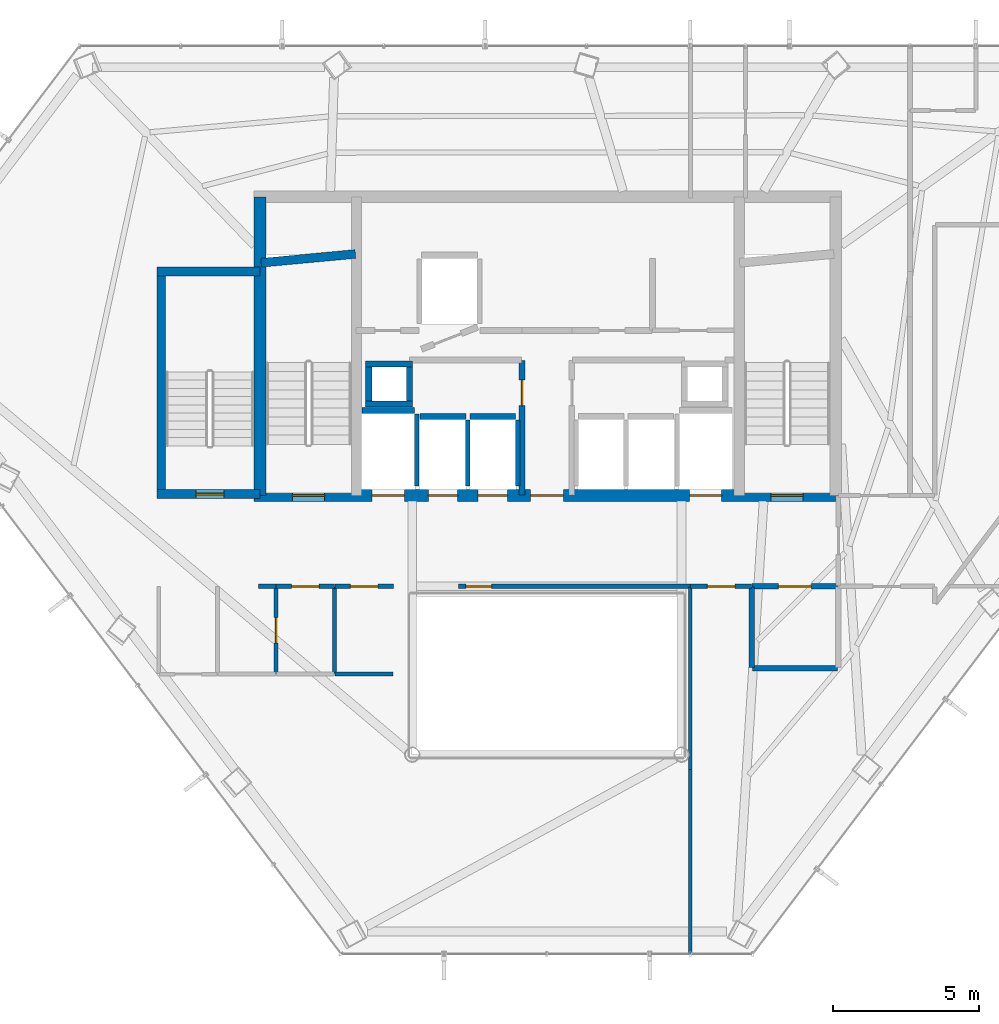
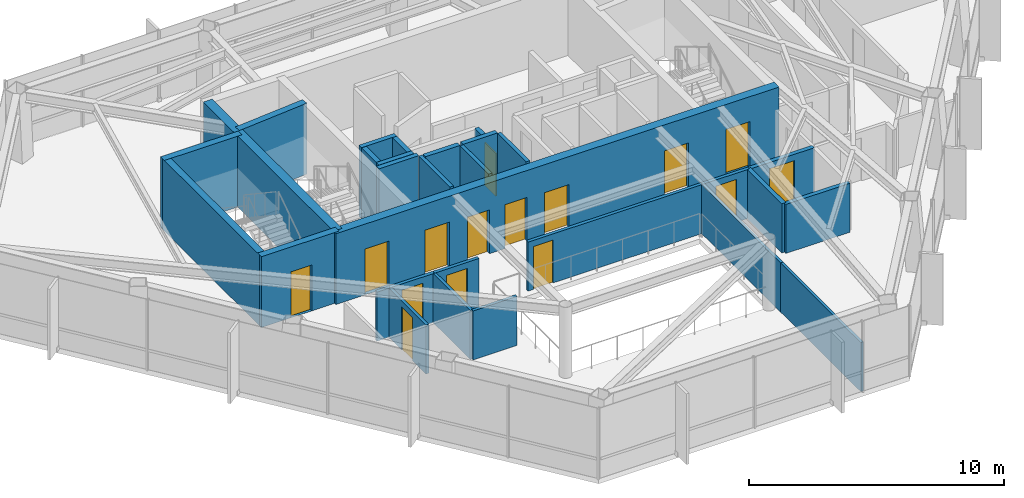
# One storey, part 25 of 28: 30 walls, 15 doors, 15 openings.
"""IFC4 building model written with IfcOpenShell, lengths in metres."""

from ifc_helpers import new_model, si_unit, direction, frame, frame_2d, origin, place, context, subcontext, project, spatial, rectangle, extrude, material, layer, layer_set, type_object, element, fill, save


model = new_model("IFC4")

# Units and contexts
model_context = context("Model", 3, precision=1e-05, world=origin(), true_north=direction((0.0, 1.0)))
body_context = subcontext(model_context, "Body", "Model", "MODEL_VIEW")
ifc_project = project(units=[si_unit("LENGTHUNIT", "METRE"), si_unit("AREAUNIT", "SQUARE_METRE"), si_unit("VOLUMEUNIT", "CUBIC_METRE"), si_unit("PLANEANGLEUNIT", "RADIAN"), si_unit("MASSUNIT", "GRAM", prefix="KILO")], contexts=[model_context])

# Site, building, storey
site_placement = place(None, origin())
site = spatial("IfcSite", under=ifc_project, at=site_placement, CompositionType="ELEMENT")
building_placement = place(site_placement, origin())
building = spatial("IfcBuilding", under=site, at=building_placement, Name="Zarrinselat Tower", CompositionType="ELEMENT")
storey_placement = place(building_placement, frame((0.0, 0.0, 190.739990234375)))
storey = spatial("IfcBuildingStorey", under=building, at=storey_placement, Name="L47", CompositionType="ELEMENT", Elevation=190.739990234375)

# Wall, opening, door
ifc_material_1 = material(Name="Concrete C40/50", Category="concrete")
ifc_layer_1 = layer(ifc_material_1, 0.18994140625)
ifc_layer_set_1 = layer_set([ifc_layer_1], Name="Concrete C40/50")
wall_type_1 = type_object("IfcWallType", Name="WAL-PART-EI120", PredefinedType="PARTITIONING", material=ifc_layer_set_1)
wall_1_placement = place(storey_placement, frame((45.405029296875, 30.14990234375, 0.0), z_axis=(0.0, 0.0, 1.0), x_axis=(1.0, 0.0, 0.0)))
wall_1 = element("IfcWall", 1, at=wall_1_placement, inside=storey, type_object=wall_type_1, Name="L47 Partition Wall 12", PredefinedType="PARTITIONING", context=body_context, shape_type="SweptSolid", body=[
    extrude(rectangle(XDim=2.925048828125, YDim=0.18994140625, at=frame_2d((1.46240234375, 0.0))), origin(), (0.0, 0.0, 1.0), 2.346923828125),
])
opening_1_placement = place(wall_1_placement, frame((0.902587890625, 0.0, 0.0)))
opening_1 = element("IfcOpeningElement", 2, at=opening_1_placement, cuts=wall_1, Name="Opening ID-02", PredefinedType="OPENING", context=body_context, shape_type="SweptSolid", body=[
    extrude(rectangle(XDim=1.1201171875, YDim=2.050048828125, at=frame_2d((0.56005859375, 1.02490234375))), frame((0.0, 0.10498046875, 0.0), z_axis=(0.0, -1.0, 0.0), x_axis=(1.0, 0.0, 0.0)), (0.0, 0.0, 1.0), 0.2099609375),
])
ifc_material_2 = material(Name="Steel S355J2", Category="steel")
door_type_1 = type_object("IfcDoorType", Name="DR-INT-FD60-W", OperationType="NOTDEFINED", PredefinedType="DOOR", material=ifc_material_2)
door_1_placement = place(opening_1_placement, origin())
door_1 = element("IfcDoor", 3, at=door_1_placement, inside=storey, type_object=door_type_1, Name="L47 Interior Door P12", OperationType="SINGLE_SWING_RIGHT", OverallHeight=2.050048828125, OverallWidth=1.1201171875, PredefinedType="DOOR", context=body_context, shape_type="SweptSolid", body=[
    extrude(rectangle(XDim=1.1201171875, YDim=2.050048828125, at=frame_2d((0.56005859375, 1.02490234375))), frame((0.0, 0.02490234375, 0.0), z_axis=(0.0, -1.0, 0.0), x_axis=(1.0, 0.0, 0.0)), (0.0, 0.0, 1.0), 0.050048828125),
])
fill(opening_1, door_1)

# Walls
wall_2_placement = place(storey_placement, frame((45.419921875, 27.35009765625, 0.0), z_axis=(0.0, 0.0, 1.0), x_axis=(1.0, 0.0, 0.0)))
element("IfcWall", 4, at=wall_2_placement, inside=storey, type_object=wall_type_1, Name="L47 Partition Wall 19", PredefinedType="PARTITIONING", context=body_context, shape_type="SweptSolid", body=[
    extrude(rectangle(XDim=2.91015625, YDim=0.18994140625, at=frame_2d((1.455078125, 0.0))), origin(), (0.0, 0.0, 1.0), 2.346923828125),
])
wall_3_placement = place(storey_placement, frame((45.39990234375, 27.3701171875, 0.0), z_axis=(0.0, 0.0, 1.0), x_axis=(0.0, 1.0, 0.0)))
element("IfcWall", 5, at=wall_3_placement, inside=storey, type_object=wall_type_1, Name="L47 Partition Wall 20", PredefinedType="PARTITIONING", context=body_context, shape_type="SweptSolid", body=[
    extrude(rectangle(XDim=2.759765625, YDim=0.18994140625, at=frame_2d((1.3798828125, 0.0))), origin(), (0.0, 0.0, 1.0), 2.346923828125),
])
ifc_material_3 = material(Name="Fire-Rated Gypsum Board Partition", Category="gypsum")
ifc_layer_2 = layer(ifc_material_3, 0.14990234375)
ifc_layer_set_2 = layer_set([ifc_layer_2], Name="Fire-Rated Gypsum Board Partition")
wall_type_2 = type_object("IfcWallType", Name="WAL-PART-EI60", PredefinedType="PARTITIONING", material=ifc_layer_set_2)
wall_4_placement = place(storey_placement, frame((28.550048828125, 30.14990234375, 0.0), z_axis=(0.0, 0.0, 1.0), x_axis=(1.0, 0.0, 0.0)))
element("IfcWall", 6, at=wall_4_placement, inside=storey, type_object=wall_type_2, Name="L47 Partition Wall 14", PredefinedType="PARTITIONING", context=body_context, shape_type="SweptSolid", body=[
    extrude(rectangle(XDim=0.594970703125, YDim=0.14990234375, at=frame_2d((0.29736328125, 0.0))), origin(), (0.0, 0.0, 1.0), 2.346923828125),
])

# Wall, opening, door
wall_5_placement = place(storey_placement, frame((29.155029296875, 30.14990234375, 0.0), z_axis=(0.0, 0.0, 1.0), x_axis=(1.0, 0.0, 0.0)))
wall_5 = element("IfcWall", 7, at=wall_5_placement, inside=storey, type_object=wall_type_2, Name="L47 Partition Wall 15", PredefinedType="PARTITIONING", context=body_context, shape_type="SweptSolid", body=[
    extrude(rectangle(XDim=1.989990234375, YDim=0.14990234375, at=frame_2d((0.9951171875, 0.0))), origin(), (0.0, 0.0, 1.0), 2.346923828125),
])
opening_2_placement = place(wall_5_placement, frame((0.52490234375, 0.0, 0.0)))
opening_2 = element("IfcOpeningElement", 8, at=opening_2_placement, cuts=wall_5, Name="Opening ID-04", PredefinedType="OPENING", context=body_context, shape_type="SweptSolid", body=[
    extrude(rectangle(XDim=0.93994140625, YDim=2.050048828125, at=frame_2d((0.469970703125, 1.02490234375))), frame((0.0, 0.0849609375, 0.0), z_axis=(0.0, -1.0, 0.0), x_axis=(1.0, 0.0, 0.0)), (0.0, 0.0, 1.0), 0.169921875),
])
ifc_material_4 = material(Name="Fire-Rated Gypsum Board Partition")
door_type_2 = type_object("IfcDoorType", Name="DR-INT-FD30-ENT", OperationType="NOTDEFINED", PredefinedType="DOOR", material=ifc_material_4)
door_2_placement = place(opening_2_placement, origin())
door_2 = element("IfcDoor", 9, at=door_2_placement, inside=storey, type_object=door_type_2, Name="L47 Interior Door P15", OperationType="SINGLE_SWING_RIGHT", OverallHeight=2.050048828125, OverallWidth=0.93994140625, PredefinedType="DOOR", context=body_context, shape_type="SweptSolid", body=[
    extrude(rectangle(XDim=0.93994140625, YDim=2.050048828125, at=frame_2d((0.469970703125, 1.02490234375))), frame((0.0, 0.02490234375, 0.0), z_axis=(0.0, -1.0, 0.0), x_axis=(1.0, 0.0, 0.0)), (0.0, 0.0, 1.0), 0.050048828125),
])
fill(opening_2, door_2)

wall_6_placement = place(storey_placement, frame((31.155029296875, 30.14990234375, 0.0), z_axis=(0.0, 0.0, 1.0), x_axis=(1.0, 0.0, 0.0)))
wall_6 = element("IfcWall", 10, at=wall_6_placement, inside=storey, type_object=wall_type_2, Name="L47 Partition Wall 16", PredefinedType="PARTITIONING", context=body_context, shape_type="SweptSolid", body=[
    extrude(rectangle(XDim=2.010009765625, YDim=0.14990234375, at=frame_2d((1.0048828125, 0.0))), origin(), (0.0, 0.0, 1.0), 2.346923828125),
])
opening_3_placement = place(wall_6_placement, frame((0.534912109375, 0.0, 0.0)))
opening_3 = element("IfcOpeningElement", 11, at=opening_3_placement, cuts=wall_6, Name="Opening ID-04", PredefinedType="OPENING", context=body_context, shape_type="SweptSolid", body=[
    extrude(rectangle(XDim=0.93994140625, YDim=2.050048828125, at=frame_2d((0.469970703125, 1.02490234375))), frame((0.0, 0.0849609375, 0.0), z_axis=(0.0, -1.0, 0.0), x_axis=(1.0, 0.0, 0.0)), (0.0, 0.0, 1.0), 0.169921875),
])
door_3_placement = place(opening_3_placement, origin())
door_3 = element("IfcDoor", 12, at=door_3_placement, inside=storey, type_object=door_type_2, Name="L47 Interior Door P16", OperationType="SINGLE_SWING_LEFT", OverallHeight=2.050048828125, OverallWidth=0.93994140625, PredefinedType="DOOR", context=body_context, shape_type="SweptSolid", body=[
    extrude(rectangle(XDim=0.93994140625, YDim=2.050048828125, at=frame_2d((0.469970703125, 1.02490234375))), frame((0.0, 0.02490234375, 0.0), z_axis=(0.0, -1.0, 0.0), x_axis=(1.0, 0.0, 0.0)), (0.0, 0.0, 1.0), 0.050048828125),
])
fill(opening_3, door_3)

wall_7_placement = place(storey_placement, frame((35.385009765625, 30.14990234375, 0.0), z_axis=(0.0, 0.0, 1.0), x_axis=(1.0, 0.0, 0.0)))
wall_7 = element("IfcWall", 13, at=wall_7_placement, inside=storey, type_object=wall_type_2, Name="L47 Partition Wall 17", PredefinedType="PARTITIONING", context=body_context, shape_type="SweptSolid", body=[
    extrude(rectangle(XDim=7.909912109375, YDim=0.14990234375, at=frame_2d((3.955078125, 0.0))), origin(), (0.0, 0.0, 1.0), 2.346923828125),
])
opening_4_placement = place(wall_7_placement, frame((0.25, 0.0, 0.0)))
opening_4 = element("IfcOpeningElement", 14, at=opening_4_placement, cuts=wall_7, Name="Opening ID-03", PredefinedType="OPENING", context=body_context, shape_type="SweptSolid", body=[
    extrude(rectangle(XDim=0.8798828125, YDim=2.050048828125, at=frame_2d((0.43994140625, 1.02490234375))), frame((0.0, 0.0849609375, 0.0), z_axis=(0.0, -1.0, 0.0), x_axis=(1.0, 0.0, 0.0)), (0.0, 0.0, 1.0), 0.169921875),
])
ifc_material_5 = material(Name="Steel S355J2", Category="steel")
door_type_3 = type_object("IfcDoorType", Name="DR-INT-FD60-S", OperationType="NOTDEFINED", PredefinedType="DOOR", material=ifc_material_5)
door_4_placement = place(opening_4_placement, origin())
door_4 = element("IfcDoor", 15, at=door_4_placement, inside=storey, type_object=door_type_3, Name="L47 Interior Door P17", OperationType="SINGLE_SWING_RIGHT", OverallHeight=2.050048828125, OverallWidth=0.8798828125, PredefinedType="DOOR", context=body_context, shape_type="SweptSolid", body=[
    extrude(rectangle(XDim=0.8798828125, YDim=2.050048828125, at=frame_2d((0.43994140625, 1.02490234375))), frame((0.0, 0.02490234375, 0.0), z_axis=(0.0, -1.0, 0.0), x_axis=(1.0, 0.0, 0.0)), (0.0, 0.0, 1.0), 0.050048828125),
])
fill(opening_4, door_4)

wall_8_placement = place(storey_placement, frame((43.304931640625, 30.14990234375, 0.0), z_axis=(0.0, 0.0, 1.0), x_axis=(1.0, 0.0, 0.0)))
wall_8 = element("IfcWall", 16, at=wall_8_placement, inside=storey, type_object=wall_type_2, Name="L47 Partition Wall 18", PredefinedType="PARTITIONING", context=body_context, shape_type="SweptSolid", body=[
    extrude(rectangle(XDim=2.090087890625, YDim=0.14990234375, at=frame_2d((1.044921875, 0.0))), origin(), (0.0, 0.0, 1.0), 2.346923828125),
])
opening_5_placement = place(wall_8_placement, frame((0.574951171875, 0.0, 0.0)))
opening_5 = element("IfcOpeningElement", 17, at=opening_5_placement, cuts=wall_8, Name="Opening ID-04", PredefinedType="OPENING", context=body_context, shape_type="SweptSolid", body=[
    extrude(rectangle(XDim=0.93994140625, YDim=2.050048828125, at=frame_2d((0.469970703125, 1.02490234375))), frame((0.0, 0.0849609375, 0.0), z_axis=(0.0, -1.0, 0.0), x_axis=(1.0, 0.0, 0.0)), (0.0, 0.0, 1.0), 0.169921875),
])
door_5_placement = place(opening_5_placement, origin())
door_5 = element("IfcDoor", 18, at=door_5_placement, inside=storey, type_object=door_type_2, Name="L47 Interior Door P18", OperationType="SINGLE_SWING_LEFT", OverallHeight=2.050048828125, OverallWidth=0.93994140625, PredefinedType="DOOR", context=body_context, shape_type="SweptSolid", body=[
    extrude(rectangle(XDim=0.93994140625, YDim=2.050048828125, at=frame_2d((0.469970703125, 1.02490234375))), frame((0.0, 0.02490234375, 0.0), z_axis=(0.0, -1.0, 0.0), x_axis=(1.0, 0.0, 0.0)), (0.0, 0.0, 1.0), 0.050048828125),
])
fill(opening_5, door_5)

ifc_material_6 = material(Name="Concrete C40/50", Category="concrete")
ifc_layer_3 = layer(ifc_material_6, 0.199951171875)
ifc_layer_set_3 = layer_set([ifc_layer_3], Name="Concrete C40/50")
wall_type_3 = type_object("IfcWallType", Name="WAL-PART-PLANT", PredefinedType="PARTITIONING", material=ifc_layer_set_3)
wall_9_placement = place(storey_placement, frame((37.550048828125, 33.264892578125, 0.0), z_axis=(0.0, 0.0, 1.0), x_axis=(0.0, 1.0, 0.0)))
wall_9 = element("IfcWall", 19, at=wall_9_placement, inside=storey, type_object=wall_type_3, Name="L47 Partition Wall 1", PredefinedType="PARTITIONING", context=body_context, shape_type="SweptSolid", body=[
    extrude(rectangle(XDim=4.59521484375, YDim=0.199951171875, at=frame_2d((2.297607421875, 0.0))), origin(), (0.0, 0.0, 1.0), 2.346923828125),
])
opening_6_placement = place(wall_9_placement, frame((3.0576171875, 0.0, 0.0)))
opening_6 = element("IfcOpeningElement", 20, at=opening_6_placement, cuts=wall_9, Name="Opening ID-03", PredefinedType="OPENING", context=body_context, shape_type="SweptSolid", body=[
    extrude(rectangle(XDim=0.8798828125, YDim=2.050048828125, at=frame_2d((0.43994140625, 1.02490234375))), frame((0.0, 0.10986328125, 0.0), z_axis=(0.0, -1.0, 0.0), x_axis=(1.0, 0.0, 0.0)), (0.0, 0.0, 1.0), 0.219970703125),
])
door_6_placement = place(opening_6_placement, origin())
door_6 = element("IfcDoor", 21, at=door_6_placement, inside=storey, type_object=door_type_3, Name="L47 Interior Door P1", OperationType="SINGLE_SWING_LEFT", OverallHeight=2.050048828125, OverallWidth=0.8798828125, PredefinedType="DOOR", context=body_context, shape_type="SweptSolid", body=[
    extrude(rectangle(XDim=0.8798828125, YDim=2.050048828125, at=frame_2d((0.43994140625, 1.02490234375))), frame((0.0, 0.02490234375, 0.0), z_axis=(0.0, -1.0, 0.0), x_axis=(1.0, 0.0, 0.0)), (0.0, 0.0, 1.0), 0.050048828125),
])
fill(opening_6, door_6)

# Walls
ifc_material_7 = material(Name="Fire-Rated Gypsum Board Partition", Category="gypsum")
ifc_layer_4 = layer(ifc_material_7, 0.1201171875)
ifc_layer_set_4 = layer_set([ifc_layer_4], Name="Fire-Rated Gypsum Board Partition")
wall_type_4 = type_object("IfcWallType", Name="WAL-PART-STD", PredefinedType="PARTITIONING", material=ifc_layer_set_4)
wall_10_placement = place(storey_placement, frame((43.300048828125, 23.899658203125, 0.0), z_axis=(0.0, 0.0, 1.0), x_axis=(0.0, 1.0, 0.0)))
element("IfcWall", 22, at=wall_10_placement, inside=storey, type_object=wall_type_4, Name="L47 Partition Wall 41", PredefinedType="PARTITIONING", context=body_context, shape_type="SweptSolid", body=[
    extrude(rectangle(XDim=6.230224609375, YDim=0.1201171875, at=frame_2d((3.115234375, 0.0))), origin(), (0.0, 0.0, 1.0), 2.346923828125),
])
wall_11_placement = place(storey_placement, frame((43.300048828125, 17.604248046875, 0.0), z_axis=(0.0, 0.0, 1.0), x_axis=(0.0, 1.0, 0.0)))
element("IfcWall", 23, at=wall_11_placement, inside=storey, type_object=wall_type_4, Name="L47 Partition Wall 42", PredefinedType="PARTITIONING", context=body_context, shape_type="SweptSolid", body=[
    extrude(rectangle(XDim=6.29541015625, YDim=0.1201171875, at=frame_2d((3.147705078125, 0.0))), origin(), (0.0, 0.0, 1.0), 2.346923828125),
])

# Wall, opening, door
ifc_material_8 = material(Name="Fire-Rated Gypsum Board Partition", Category="gypsum")
ifc_layer_5 = layer(ifc_material_8, 0.135009765625)
ifc_layer_set_5 = layer_set([ifc_layer_5], Name="Fire-Rated Gypsum Board Partition")
wall_type_5 = type_object("IfcWallType", Name="WAL-PART-WET", PredefinedType="PARTITIONING", material=ifc_layer_set_5)
wall_12_placement = place(storey_placement, frame((29.14990234375, 27.169921875, 0.0), z_axis=(0.0, 0.0, 1.0), x_axis=(0.0, 1.0, 0.0)))
wall_12 = element("IfcWall", 24, at=wall_12_placement, inside=storey, type_object=wall_type_5, Name="L47 Partition Wall 36", PredefinedType="PARTITIONING", context=body_context, shape_type="SweptSolid", body=[
    extrude(rectangle(XDim=2.9599609375, YDim=0.135009765625, at=frame_2d((1.47998046875, 0.0))), origin(), (0.0, 0.0, 1.0), 2.346923828125),
])
opening_7_placement = place(wall_12_placement, frame((1.050048828125, 0.0, 0.0)))
opening_7 = element("IfcOpeningElement", 25, at=opening_7_placement, cuts=wall_12, Name="Opening ID-06", PredefinedType="OPENING", context=body_context, shape_type="SweptSolid", body=[
    extrude(rectangle(XDim=0.860107421875, YDim=2.050048828125, at=frame_2d((0.43017578125, 1.02490234375))), frame((0.0, 0.077392578125, 0.0), z_axis=(0.0, -1.0, 0.0), x_axis=(1.0, 0.0, 0.0)), (0.0, 0.0, 1.0), 0.155029296875),
])
ifc_material_9 = material(Name="Extruded Aluminium Alloy EN AW-6063 T6", Category="aluminium")
door_type_4 = type_object("IfcDoorType", Name="DR-INT-WET-900", OperationType="NOTDEFINED", PredefinedType="DOOR", material=ifc_material_9)
door_7_placement = place(opening_7_placement, origin())
door_7 = element("IfcDoor", 26, at=door_7_placement, inside=storey, type_object=door_type_4, Name="L47 Interior Door P36", OperationType="SINGLE_SWING_LEFT", OverallHeight=2.050048828125, OverallWidth=0.860107421875, PredefinedType="DOOR", context=body_context, shape_type="SweptSolid", body=[
    extrude(rectangle(XDim=0.860107421875, YDim=2.050048828125, at=frame_2d((0.43017578125, 1.02490234375))), frame((0.0, 0.02490234375, 0.0), z_axis=(0.0, -1.0, 0.0), x_axis=(1.0, 0.0, 0.0)), (0.0, 0.0, 1.0), 0.050048828125),
])
fill(opening_7, door_7)

# Walls
wall_13_placement = place(storey_placement, frame((31.14990234375, 27.169921875, 0.0), z_axis=(0.0, 0.0, 1.0), x_axis=(0.0, 1.0, 0.0)))
element("IfcWall", 27, at=wall_13_placement, inside=storey, type_object=wall_type_5, Name="L47 Partition Wall 38", PredefinedType="PARTITIONING", context=body_context, shape_type="SweptSolid", body=[
    extrude(rectangle(XDim=2.9599609375, YDim=0.135009765625, at=frame_2d((1.47998046875, 0.0))), origin(), (0.0, 0.0, 1.0), 2.346923828125),
])
wall_14_placement = place(storey_placement, frame((31.169921875, 27.14990234375, 0.0), z_axis=(0.0, 0.0, 1.0), x_axis=(1.0, 0.0, 0.0)))
element("IfcWall", 28, at=wall_14_placement, inside=storey, type_object=wall_type_5, Name="L47 Partition Wall 40", PredefinedType="PARTITIONING", context=body_context, shape_type="SweptSolid", body=[
    extrude(rectangle(XDim=1.97998046875, YDim=0.135009765625, at=frame_2d((0.989990234375, 0.0))), origin(), (0.0, 0.0, 1.0), 2.346923828125),
])
ifc_material_10 = material(Name="Concrete C40/50", Category="concrete")
ifc_layer_6 = layer(ifc_material_10, 0.2099609375)
ifc_layer_set_6 = layer_set([ifc_layer_6], Name="Concrete C40/50")
wall_type_6 = type_object("IfcWallType", Name="WAL-SHAFT-210", PredefinedType="SOLIDWALL", material=ifc_layer_set_6)
wall_15_placement = place(storey_placement, frame((32.080078125, 36.155029296875, 0.0), z_axis=(0.0, 0.0, 1.0), x_axis=(1.0, 0.0, 0.0)))
element("IfcWall", 29, at=wall_15_placement, inside=storey, type_object=wall_type_6, Name="L47 Lift FFL1 North Shaft Wall", PredefinedType="SOLIDWALL", context=body_context, shape_type="SweptSolid", body=[
    extrude(rectangle(XDim=1.7998046875, YDim=0.2099609375, at=frame_2d((0.89990234375, 0.0))), origin(), (0.0, 0.0, 1.0), 3.389892578125),
])
wall_16_placement = place(storey_placement, frame((33.949951171875, 33.580078125, 0.0), z_axis=(0.0, 0.0, 1.0), x_axis=(0.0, 1.0, 0.0)))
element("IfcWall", 30, at=wall_16_placement, inside=storey, type_object=wall_type_6, Name="L47 Lift FFL1 E Shaft Wall", PredefinedType="SOLIDWALL", context=body_context, shape_type="SweptSolid", body=[
    extrude(rectangle(XDim=2.449951171875, YDim=0.159912109375, at=frame_2d((1.22509765625, 0.0))), origin(), (0.0, 0.0, 1.0), 3.389892578125),
])
wall_17_placement = place(storey_placement, frame((34.070068359375, 35.955078125, 0.0), z_axis=(0.0, 0.0, 1.0), x_axis=(1.0, 0.0, 0.0)))
element("IfcWall", 31, at=wall_17_placement, inside=storey, type_object=wall_type_6, Name="L47 Lift PL5 North Shaft Wall", PredefinedType="SOLIDWALL", context=body_context, shape_type="SweptSolid", body=[
    extrude(rectangle(XDim=1.559814453125, YDim=0.2099609375, at=frame_2d((0.77978515625, 0.0))), origin(), (0.0, 0.0, 1.0), 3.389892578125),
])
wall_18_placement = place(storey_placement, frame((35.699951171875, 33.580078125, 0.0), z_axis=(0.0, 0.0, 1.0), x_axis=(0.0, 1.0, 0.0)))
element("IfcWall", 32, at=wall_18_placement, inside=storey, type_object=wall_type_6, Name="L47 Lift PL5 E Shaft Wall", PredefinedType="SOLIDWALL", context=body_context, shape_type="SweptSolid", body=[
    extrude(rectangle(XDim=2.25, YDim=0.159912109375, at=frame_2d((1.125, 0.0))), origin(), (0.0, 0.0, 1.0), 3.389892578125),
])
wall_19_placement = place(storey_placement, frame((35.77001953125, 35.955078125, 0.0), z_axis=(0.0, 0.0, 1.0), x_axis=(1.0, 0.0, 0.0)))
element("IfcWall", 33, at=wall_19_placement, inside=storey, type_object=wall_type_6, Name="L47 Lift PL6 North Shaft Wall", PredefinedType="SOLIDWALL", context=body_context, shape_type="SweptSolid", body=[
    extrude(rectangle(XDim=1.56005859375, YDim=0.2099609375, at=frame_2d((0.780029296875, 0.0))), origin(), (0.0, 0.0, 1.0), 3.389892578125),
])
wall_20_placement = place(storey_placement, frame((37.39990234375, 33.580078125, 0.0), z_axis=(0.0, 0.0, 1.0), x_axis=(0.0, 1.0, 0.0)))
element("IfcWall", 34, at=wall_20_placement, inside=storey, type_object=wall_type_6, Name="L47 Lift PL6 E Shaft Wall", PredefinedType="SOLIDWALL", context=body_context, shape_type="SweptSolid", body=[
    extrude(rectangle(XDim=2.25, YDim=0.159912109375, at=frame_2d((1.125, 0.0))), origin(), (0.0, 0.0, 1.0), 3.389892578125),
])
for number, where, z_axis, x_axis, name in (
    (35, (32.2099609375, 36.375, 0.0), (0.0, 0.0, 1.0), (1.0, 0.0, 0.0), "L47 Core Riser RSR-W S Shaft Wall"),
    (36, (32.2099609375, 37.7451171875, 0.0), (0.0, 0.0, 1.0), (1.0, 0.0, 0.0), "L47 Core Riser RSR-W N Shaft Wall"),
):
    element("IfcWall", number, at=place(storey_placement, frame(where, z_axis=z_axis, x_axis=x_axis)), inside=storey, type_object=wall_type_6, Name=name, PredefinedType="SOLIDWALL", context=body_context, shape_type="SweptSolid", body=[
        extrude(rectangle(XDim=1.60009765625, YDim=0.2099609375, at=frame_2d((0.800048828125, 0.0))), origin(), (0.0, 0.0, 1.0), 3.389892578125),
    ])
for number, where, z_axis, x_axis, name in (
    (37, (32.31494140625, 36.485107421875, 0.0), (0.0, 0.0, 1.0), (0.0, 1.0, 0.0), "L47 Core Riser RSR-W W Shaft Wall"),
    (38, (33.705078125, 36.485107421875, 0.0), (0.0, 0.0, 1.0), (0.0, 1.0, 0.0), "L47 Core Riser RSR-W E Shaft Wall"),
):
    element("IfcWall", number, at=place(storey_placement, frame(where, z_axis=z_axis, x_axis=x_axis)), inside=storey, type_object=wall_type_6, Name=name, PredefinedType="SOLIDWALL", context=body_context, shape_type="SweptSolid", body=[
        extrude(rectangle(XDim=1.14990234375, YDim=0.2099609375, at=frame_2d((0.574951171875, 0.0))), origin(), (0.0, 0.0, 1.0), 3.389892578125),
    ])
ifc_material_11 = material(Name="Concrete C40/50", Category="concrete")
ifc_layer_7 = layer(ifc_material_11, 0.300048828125)
ifc_layer_set_7 = layer_set([ifc_layer_7], Name="Concrete C40/50")
wall_type_7 = type_object("IfcWallType", Name="WAL-SHEAR-300", PredefinedType="SHEAR", material=ifc_layer_set_7)
wall_21_placement = place(storey_placement, frame((28.639892578125, 41.199951171875, 0.0), z_axis=(0.0, 0.0, 1.0), x_axis=(0.995687118776, 0.092774789157, 0.0)))
element("IfcWall", 39, at=wall_21_placement, inside=storey, type_object=wall_type_7, Name="L47 Stair 1 North Shaft Wall", PredefinedType="SHEAR", context=body_context, shape_type="SweptSolid", body=[
    extrude(rectangle(XDim=3.234130859375, YDim=0.300048828125, at=frame_2d((1.6171875, 0.0))), origin(), (0.0, 0.0, 1.0), 3.389892578125),
])
wall_22_placement = place(storey_placement, frame((25.080078125, 40.89990234375, 0.0), z_axis=(0.0, 0.0, 1.0), x_axis=(1.0, 0.0, 0.0)))
element("IfcWall", 40, at=wall_22_placement, inside=storey, type_object=wall_type_7, Name="L47 Stair 3 North Shear Wall", PredefinedType="SHEAR", context=body_context, shape_type="SweptSolid", body=[
    extrude(rectangle(XDim=3.52001953125, YDim=0.300048828125, at=frame_2d((1.760009765625, 0.0))), origin(), (0.0, 0.0, 1.0), 3.389892578125),
])

# Wall, opening, door
wall_23_placement = place(storey_placement, frame((25.080078125, 33.300048828125, 0.0), z_axis=(0.0, 0.0, 1.0), x_axis=(1.0, 0.0, 0.0)))
wall_23 = element("IfcWall", 41, at=wall_23_placement, inside=storey, type_object=wall_type_7, Name="L47 Stair 3 South Shear Wall", PredefinedType="SHEAR", context=body_context, shape_type="SweptSolid", body=[
    extrude(rectangle(XDim=3.52001953125, YDim=0.300048828125, at=frame_2d((1.760009765625, 0.0))), origin(), (0.0, 0.0, 1.0), 3.389892578125),
])
opening_8_placement = place(wall_23_placement, frame((1.3349609375, 0.0, 0.0)))
opening_8 = element("IfcOpeningElement", 42, at=opening_8_placement, cuts=wall_23, Name="Opening SD-02", PredefinedType="OPENING", context=body_context, shape_type="SweptSolid", body=[
    extrude(rectangle(XDim=0.949951171875, YDim=2.199951171875, at=frame_2d((0.47509765625, 1.10009765625))), frame((0.0, 0.159912109375, 0.0), z_axis=(0.0, -1.0, 0.0), x_axis=(1.0, 0.0, 0.0)), (0.0, 0.0, 1.0), 0.320068359375),
])
ifc_material_12 = material(Name="Steel S355J2", Category="steel")
door_type_5 = type_object("IfcDoorType", Name="DR-STAIR-1050", OperationType="NOTDEFINED", PredefinedType="DOOR", material=ifc_material_12)
door_8_placement = place(opening_8_placement, origin())
door_8 = element("IfcDoor", 43, at=door_8_placement, inside=storey, type_object=door_type_5, Name="L47 Exit Stair 3 Fire Door", OperationType="SINGLE_SWING_LEFT", OverallHeight=2.199951171875, OverallWidth=0.949951171875, PredefinedType="DOOR", context=body_context, shape_type="SweptSolid", body=[
    extrude(rectangle(XDim=0.949951171875, YDim=2.199951171875, at=frame_2d((0.47509765625, 1.10009765625))), frame((0.0, 0.02490234375, 0.0), z_axis=(0.0, -1.0, 0.0), x_axis=(1.0, 0.0, 0.0)), (0.0, 0.0, 1.0), 0.050048828125),
])
fill(opening_8, door_8)

# Wall
wall_24_placement = place(storey_placement, frame((25.22998046875, 33.300048828125, 0.0), z_axis=(0.0, 0.0, 1.0), x_axis=(0.0, 1.0, 0.0)))
element("IfcWall", 44, at=wall_24_placement, inside=storey, type_object=wall_type_7, Name="L47 Stair 3 West Shear Wall", PredefinedType="SHEAR", context=body_context, shape_type="SweptSolid", body=[
    extrude(rectangle(XDim=7.599853515625, YDim=0.300048828125, at=frame_2d((3.7998046875, 0.0))), origin(), (0.0, 0.0, 1.0), 3.389892578125),
])

# Wall, openings, doors
ifc_material_13 = material(Name="Concrete C60/75", Category="concrete")
ifc_layer_8 = layer(ifc_material_13, 0.39990234375)
ifc_layer_set_8 = layer_set([ifc_layer_8], Name="Concrete C60/75")
wall_type_8 = type_object("IfcWallType", Name="WAL-SHEAR-400", PredefinedType="SHEAR", material=ifc_layer_set_8)
wall_25_placement = place(storey_placement, frame((28.39990234375, 33.25, 0.0), z_axis=(0.0, 0.0, 1.0), x_axis=(1.0, 0.0, 0.0)))
wall_25 = element("IfcWall", 45, at=wall_25_placement, inside=storey, type_object=wall_type_8, Name="L47 South Core Shear Wall", PredefinedType="SHEAR", context=body_context, shape_type="SweptSolid", body=[
    extrude(rectangle(XDim=20.06005859375, YDim=0.39990234375, at=frame_2d((10.030029296875, 0.0))), origin(), (0.0, 0.0, 1.0), 3.389892578125),
])
opening_9_placement = place(wall_25_placement, frame((4.030029296875, 0.0, 0.0)))
opening_9 = element("IfcOpeningElement", 46, at=opening_9_placement, cuts=wall_25, Name="Opening LD-FFL1", PredefinedType="OPENING", context=body_context, shape_type="SweptSolid", body=[
    extrude(rectangle(XDim=1.10009765625, YDim=2.14990234375, at=frame_2d((0.550048828125, 1.074951171875))), frame((0.0, 0.2099609375, 0.0), z_axis=(0.0, -1.0, 0.0), x_axis=(1.0, 0.0, 0.0)), (0.0, 0.0, 1.0), 0.419921875),
])
opening_10_placement = place(wall_25_placement, frame((14.8701171875, 0.0, 0.0)))
opening_10 = element("IfcOpeningElement", 47, at=opening_10_placement, cuts=wall_25, Name="Opening LD-FFL2", PredefinedType="OPENING", context=body_context, shape_type="SweptSolid", body=[
    extrude(rectangle(XDim=1.10009765625, YDim=2.14990234375, at=frame_2d((0.550048828125, 1.074951171875))), frame((0.0, 0.2099609375, 0.0), z_axis=(0.0, -1.0, 0.0), x_axis=(1.0, 0.0, 0.0)), (0.0, 0.0, 1.0), 0.419921875),
])
opening_11_placement = place(wall_25_placement, frame((5.949951171875, 0.0, 0.0)))
opening_11 = element("IfcOpeningElement", 48, at=opening_11_placement, cuts=wall_25, Name="Opening LD-PL5", PredefinedType="OPENING", context=body_context, shape_type="SweptSolid", body=[
    extrude(rectangle(XDim=1.0, YDim=2.10009765625, at=frame_2d((0.5, 1.050048828125))), frame((0.0, 0.2099609375, 0.0), z_axis=(0.0, -1.0, 0.0), x_axis=(1.0, 0.0, 0.0)), (0.0, 0.0, 1.0), 0.419921875),
])
opening_12_placement = place(wall_25_placement, frame((7.64990234375, 0.0, 0.0)))
opening_12 = element("IfcOpeningElement", 49, at=opening_12_placement, cuts=wall_25, Name="Opening LD-PL6", PredefinedType="OPENING", context=body_context, shape_type="SweptSolid", body=[
    extrude(rectangle(XDim=1.0, YDim=2.10009765625, at=frame_2d((0.5, 1.050048828125))), frame((0.0, 0.2099609375, 0.0), z_axis=(0.0, -1.0, 0.0), x_axis=(1.0, 0.0, 0.0)), (0.0, 0.0, 1.0), 0.419921875),
])
opening_13_placement = place(wall_25_placement, frame((1.31005859375, 0.0, 0.0)))
opening_13 = element("IfcOpeningElement", 50, at=opening_13_placement, cuts=wall_25, Name="Opening SD-01", PredefinedType="OPENING", context=body_context, shape_type="SweptSolid", body=[
    extrude(rectangle(XDim=1.10009765625, YDim=2.199951171875, at=frame_2d((0.550048828125, 1.10009765625))), frame((0.0, 0.2099609375, 0.0), z_axis=(0.0, -1.0, 0.0), x_axis=(1.0, 0.0, 0.0)), (0.0, 0.0, 1.0), 0.419921875),
])
opening_14_placement = place(wall_25_placement, frame((9.43994140625, 0.0, 0.0)))
opening_14 = element("IfcOpeningElement", 51, at=opening_14_placement, cuts=wall_25, Name="Opening ID-02", PredefinedType="OPENING", context=body_context, shape_type="SweptSolid", body=[
    extrude(rectangle(XDim=1.1201171875, YDim=2.050048828125, at=frame_2d((0.56005859375, 1.02490234375))), frame((0.0, 0.2099609375, 0.0), z_axis=(0.0, -1.0, 0.0), x_axis=(1.0, 0.0, 0.0)), (0.0, 0.0, 1.0), 0.419921875),
])
opening_15_placement = place(wall_25_placement, frame((17.64990234375, 0.0, 0.0)))
opening_15 = element("IfcOpeningElement", 52, at=opening_15_placement, cuts=wall_25, Name="Opening SD-01", PredefinedType="OPENING", context=body_context, shape_type="SweptSolid", body=[
    extrude(rectangle(XDim=1.10009765625, YDim=2.199951171875, at=frame_2d((0.550048828125, 1.10009765625))), frame((0.0, 0.2099609375, 0.0), z_axis=(0.0, -1.0, 0.0), x_axis=(1.0, 0.0, 0.0)), (0.0, 0.0, 1.0), 0.419921875),
])
door_9_placement = place(opening_14_placement, origin())
door_9 = element("IfcDoor", 53, at=door_9_placement, inside=storey, type_object=door_type_1, Name="L47 Core Service Vestibule Fire Door", OperationType="SINGLE_SWING_LEFT", OverallHeight=2.050048828125, OverallWidth=1.1201171875, PredefinedType="DOOR", context=body_context, shape_type="SweptSolid", body=[
    extrude(rectangle(XDim=1.1201171875, YDim=2.050048828125, at=frame_2d((0.56005859375, 1.02490234375))), frame((0.0, 0.02490234375, 0.0), z_axis=(0.0, -1.0, 0.0), x_axis=(1.0, 0.0, 0.0)), (0.0, 0.0, 1.0), 0.050048828125),
])
fill(opening_14, door_9)
ifc_material_14 = material(Name="Steel S355J2", Category="steel")
door_type_6 = type_object("IfcDoorType", Name="DR-LIFT-FF-1100", OperationType="NOTDEFINED", PredefinedType="DOOR", material=ifc_material_14)
door_10_placement = place(opening_9_placement, origin())
door_10 = element("IfcDoor", 54, at=door_10_placement, inside=storey, type_object=door_type_6, Name="L47 Lift FFL1 Sliding Landing Door", OperationType="SLIDING_TO_LEFT", OverallHeight=2.14990234375, OverallWidth=1.10009765625, PredefinedType="DOOR", context=body_context, shape_type="SweptSolid", body=[
    extrude(rectangle(XDim=1.10009765625, YDim=2.14990234375, at=frame_2d((0.550048828125, 1.074951171875))), frame((0.0, 0.02490234375, 0.0), z_axis=(0.0, -1.0, 0.0), x_axis=(1.0, 0.0, 0.0)), (0.0, 0.0, 1.0), 0.050048828125),
])
fill(opening_9, door_10)
door_11_placement = place(opening_10_placement, origin())
door_11 = element("IfcDoor", 55, at=door_11_placement, inside=storey, type_object=door_type_6, Name="L47 Lift FFL2 Sliding Landing Door", OperationType="SLIDING_TO_RIGHT", OverallHeight=2.14990234375, OverallWidth=1.10009765625, PredefinedType="DOOR", context=body_context, shape_type="SweptSolid", body=[
    extrude(rectangle(XDim=1.10009765625, YDim=2.14990234375, at=frame_2d((0.550048828125, 1.074951171875))), frame((0.0, 0.02490234375, 0.0), z_axis=(0.0, -1.0, 0.0), x_axis=(1.0, 0.0, 0.0)), (0.0, 0.0, 1.0), 0.050048828125),
])
fill(opening_10, door_11)
ifc_material_15 = material(Name="Steel S355J2", Category="steel")
door_type_7 = type_object("IfcDoorType", Name="DR-LIFT-PS-1000", OperationType="NOTDEFINED", PredefinedType="DOOR", material=ifc_material_15)
door_12_placement = place(opening_11_placement, origin())
door_12 = element("IfcDoor", 56, at=door_12_placement, inside=storey, type_object=door_type_7, Name="L47 Lift PL5 Sliding Landing Door", OperationType="SLIDING_TO_LEFT", OverallHeight=2.10009765625, OverallWidth=1.0, PredefinedType="DOOR", context=body_context, shape_type="SweptSolid", body=[
    extrude(rectangle(XDim=1.0, YDim=2.10009765625, at=frame_2d((0.5, 1.050048828125))), frame((0.0, 0.02490234375, 0.0), z_axis=(0.0, -1.0, 0.0), x_axis=(1.0, 0.0, 0.0)), (0.0, 0.0, 1.0), 0.050048828125),
])
fill(opening_11, door_12)
door_13_placement = place(opening_12_placement, origin())
door_13 = element("IfcDoor", 57, at=door_13_placement, inside=storey, type_object=door_type_7, Name="L47 Lift PL6 Sliding Landing Door", OperationType="SLIDING_TO_RIGHT", OverallHeight=2.10009765625, OverallWidth=1.0, PredefinedType="DOOR", context=body_context, shape_type="SweptSolid", body=[
    extrude(rectangle(XDim=1.0, YDim=2.10009765625, at=frame_2d((0.5, 1.050048828125))), frame((0.0, 0.02490234375, 0.0), z_axis=(0.0, -1.0, 0.0), x_axis=(1.0, 0.0, 0.0)), (0.0, 0.0, 1.0), 0.050048828125),
])
fill(opening_12, door_13)
ifc_material_16 = material(Name="Steel S355J2", Category="steel")
door_type_8 = type_object("IfcDoorType", Name="DR-STAIR-1100", OperationType="NOTDEFINED", PredefinedType="DOOR", material=ifc_material_16)
door_14_placement = place(opening_13_placement, origin())
door_14 = element("IfcDoor", 58, at=door_14_placement, inside=storey, type_object=door_type_8, Name="L47 Exit Stair 1 Fire Door", OperationType="SINGLE_SWING_LEFT", OverallHeight=2.199951171875, OverallWidth=1.10009765625, PredefinedType="DOOR", context=body_context, shape_type="SweptSolid", body=[
    extrude(rectangle(XDim=1.10009765625, YDim=2.199951171875, at=frame_2d((0.550048828125, 1.10009765625))), frame((0.0, 0.02490234375, 0.0), z_axis=(0.0, -1.0, 0.0), x_axis=(1.0, 0.0, 0.0)), (0.0, 0.0, 1.0), 0.050048828125),
])
fill(opening_13, door_14)
door_15_placement = place(opening_15_placement, origin())
door_15 = element("IfcDoor", 59, at=door_15_placement, inside=storey, type_object=door_type_8, Name="L47 Exit Stair 2 Fire Door", OperationType="SINGLE_SWING_RIGHT", OverallHeight=2.199951171875, OverallWidth=1.10009765625, PredefinedType="DOOR", context=body_context, shape_type="SweptSolid", body=[
    extrude(rectangle(XDim=1.10009765625, YDim=2.199951171875, at=frame_2d((0.550048828125, 1.10009765625))), frame((0.0, 0.02490234375, 0.0), z_axis=(0.0, -1.0, 0.0), x_axis=(1.0, 0.0, 0.0)), (0.0, 0.0, 1.0), 0.050048828125),
])
fill(opening_15, door_15)

# Wall
wall_26_placement = place(storey_placement, frame((28.60009765625, 33.25, 0.0), z_axis=(0.0, 0.0, 1.0), x_axis=(0.0, 1.0, 0.0)))
element("IfcWall", 60, at=wall_26_placement, inside=storey, type_object=wall_type_8, Name="L47 Core Shear Wall W", PredefinedType="SHEAR", context=body_context, shape_type="SweptSolid", body=[
    extrude(rectangle(XDim=10.199951171875, YDim=0.39990234375, at=frame_2d((5.10009765625, 0.0))), origin(), (0.0, 0.0, 1.0), 3.389892578125),
])

save(model, "model.ifc")
